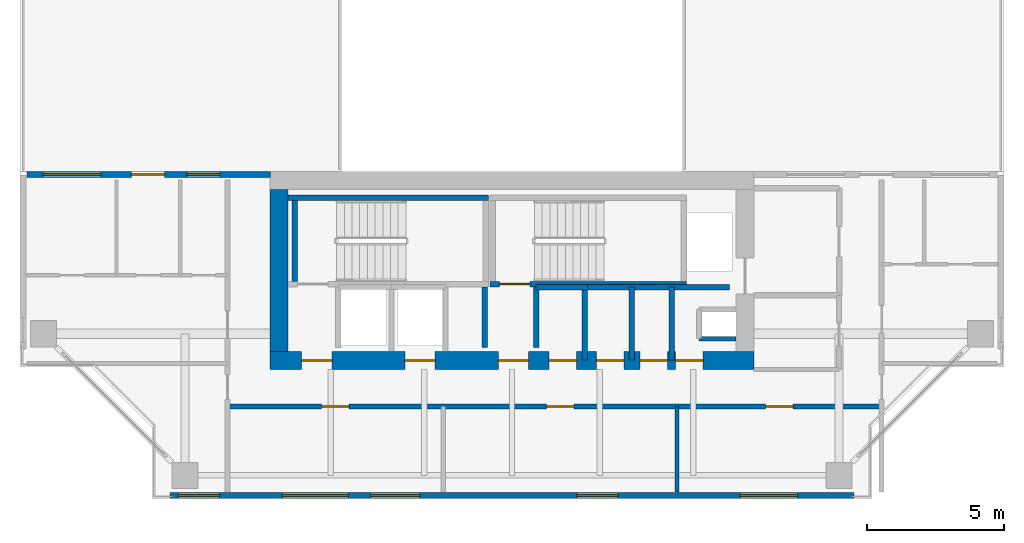
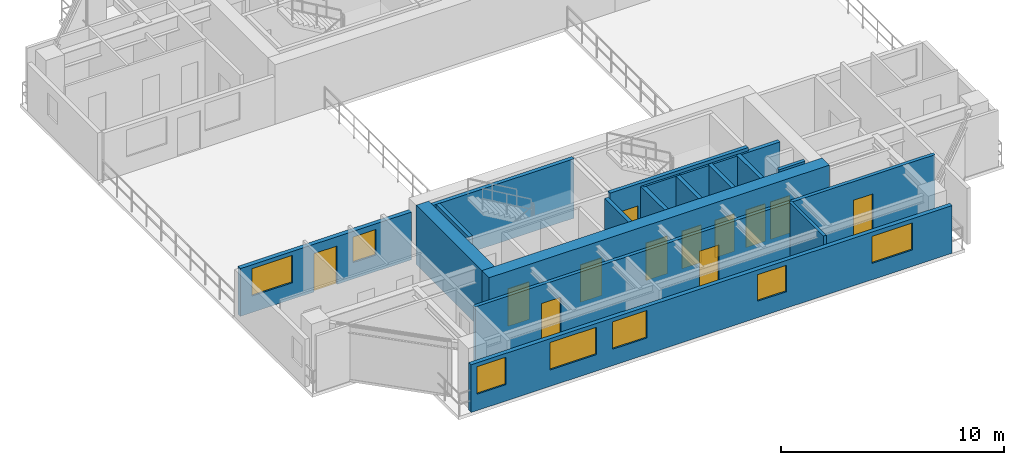
# One storey, part 7 of 14: 17 walls, 12 doors, 7 windows, 19 openings.
"""IFC4 building model written with IfcOpenShell, lengths in metres."""

from ifc_helpers import new_model, si_unit, direction, frame, frame_2d, origin, place, context, subcontext, project, spatial, rectangle, extrude, source, transform, mapped, material, layer, layer_set, type_object, element, fill, save


model = new_model("IFC4")

# Units and contexts
model_context = context("Model", 3, precision=1e-05, world=origin(), true_north=direction((0.0, 1.0)))
body_context = subcontext(model_context, "Body", "Model", "MODEL_VIEW")
ifc_project = project(units=[si_unit("LENGTHUNIT", "METRE"), si_unit("AREAUNIT", "SQUARE_METRE"), si_unit("VOLUMEUNIT", "CUBIC_METRE"), si_unit("PLANEANGLEUNIT", "RADIAN"), si_unit("MASSUNIT", "GRAM", prefix="KILO"), si_unit("THERMODYNAMICTEMPERATUREUNIT", "KELVIN"), si_unit("POWERUNIT", "WATT")], contexts=[model_context])

# Site, building, storey
site_placement = place(None, origin())
site = spatial("IfcSite", under=ifc_project, at=site_placement, CompositionType="ELEMENT")
building_placement = place(site_placement, origin())
building = spatial("IfcBuilding", under=site, at=building_placement, Name="Qiaomeng Ring Towers", CompositionType="ELEMENT")
storey_placement = place(building_placement, frame((0.0, 0.0, 153.5)))
storey = spatial("IfcBuildingStorey", under=building, at=storey_placement, Name="L44", CompositionType="ELEMENT", Elevation=153.5)

# Wall, openings, windows, door
ifc_material_1 = material(Name="Precast concrete C40", Category="concrete")
ifc_layer_1 = layer(ifc_material_1, 0.219970703125, Name="Precast concrete C40")
ifc_layer_set_1 = layer_set([ifc_layer_1], Name="Precast concrete C40")
wall_type_1 = type_object("IfcWallType", Name="ARC-WL-EW2", PredefinedType="STANDARD", material=ifc_layer_set_1)
wall_1_placement = place(storey_placement, frame((1.35009765625, 16.889892578125, 0.0), z_axis=(0.0, 0.0, 1.0), x_axis=(1.0, 0.0, 0.0)))
wall_1 = element("IfcWall", 1, at=wall_1_placement, inside=storey, type_object=wall_type_1, Name="L44 Portal Wing Wall SWING-W", PredefinedType="STANDARD", context=body_context, shape_type="SweptSolid", body=[
    extrude(rectangle(XDim=8.869873046875, YDim=0.219970703125, at=frame_2d((4.43505859375, 0.0))), origin(), (0.0, 0.0, 1.0), 2.610107421875),
])
opening_1_placement = place(wall_1_placement, frame((3.800048828125, 0.0, 0.0)))
opening_1 = element("IfcOpeningElement", 2, at=opening_1_placement, cuts=wall_1, Name="Opening BD1", PredefinedType="OPENING", context=body_context, shape_type="SweptSolid", body=[
    extrude(rectangle(XDim=1.199951171875, YDim=2.10009765625, at=frame_2d((0.60009765625, 1.050048828125))), frame((0.0, 0.119873046875, 0.0), z_axis=(0.0, -1.0, 0.0), x_axis=(1.0, 0.0, 0.0)), (0.0, 0.0, 1.0), 0.239990234375),
])
opening_2_placement = place(wall_1_placement, frame((0.594970703125, 0.0, 0.89990234375)))
opening_2 = element("IfcOpeningElement", 3, at=opening_2_placement, cuts=wall_1, Name="Opening WN4", PredefinedType="OPENING", context=body_context, shape_type="SweptSolid", body=[
    extrude(rectangle(XDim=2.10009765625, YDim=1.5, at=frame_2d((1.050048828125, 0.75))), frame((0.0, 0.119873046875, 0.0), z_axis=(0.0, -1.0, 0.0), x_axis=(1.0, 0.0, 0.0)), (0.0, 0.0, 1.0), 0.239990234375),
])
opening_3_placement = place(wall_1_placement, frame((5.824951171875, 0.0, 0.89990234375)))
opening_3 = element("IfcOpeningElement", 4, at=opening_3_placement, cuts=wall_1, Name="Opening WN3", PredefinedType="OPENING", context=body_context, shape_type="SweptSolid", body=[
    extrude(rectangle(XDim=1.199951171875, YDim=1.39990234375, at=frame_2d((0.60009765625, 0.699951171875))), frame((0.0, 0.119873046875, 0.0), z_axis=(0.0, -1.0, 0.0), x_axis=(1.0, 0.0, 0.0)), (0.0, 0.0, 1.0), 0.239990234375),
])
ifc_material_2 = material(Name="Low-E dark-grey laminated double glazing", Category="glass")
window_type_1 = type_object("IfcWindowType", Name="ARC-WN-4", PartitioningType="TRIPLE_PANEL_VERTICAL", PredefinedType="WINDOW", material=ifc_material_2)
shared_shape_1 = source(origin(), body_context, "Body", "SweptSolid", [
    extrude(rectangle(XDim=2.10009765625, YDim=1.5, at=frame_2d((1.050048828125, 0.75))), frame((0.0, 0.030029296875, 0.0), z_axis=(0.0, -1.0, 0.0), x_axis=(1.0, 0.0, 0.0)), (0.0, 0.0, 1.0), 0.06005859375),
])
window_1_placement = place(opening_2_placement, origin())
window_1 = element("IfcWindow", 5, at=window_1_placement, inside=storey, type_object=window_type_1, Name="L44 Exterior Window WN4", OverallHeight=1.5, OverallWidth=2.10009765625, PartitioningType="TRIPLE_PANEL_VERTICAL", PredefinedType="WINDOW", context=body_context, shape_type="MappedRepresentation", body=[
    mapped(shared_shape_1, transform((0.0, 0.0, 0.0), x_axis=(1.0, 0.0, 0.0), y_axis=(0.0, 1.0, 0.0), z_axis=(0.0, 0.0, 1.0), scale=1.0)),
])
fill(opening_2, window_1)
door_type_1 = type_object("IfcDoorType", Name="ARC-DR-BD1", OperationType="NOTDEFINED", PredefinedType="DOOR", material=ifc_material_2)
shared_shape_2 = source(origin(), body_context, "Body", "SweptSolid", [
    extrude(rectangle(XDim=1.199951171875, YDim=2.10009765625, at=frame_2d((0.60009765625, 1.050048828125))), frame((0.0, 0.02490234375, 0.0), z_axis=(0.0, -1.0, 0.0), x_axis=(1.0, 0.0, 0.0)), (0.0, 0.0, 1.0), 0.050048828125),
])
door_1_placement = place(opening_1_placement, origin())
door_1 = element("IfcDoor", 6, at=door_1_placement, inside=storey, type_object=door_type_1, Name="L44 Void-Portal Terrace Door SWING-W", OperationType="SINGLE_SWING_LEFT", OverallHeight=2.10009765625, OverallWidth=1.199951171875, PredefinedType="DOOR", context=body_context, shape_type="MappedRepresentation", body=[
    mapped(shared_shape_2, transform((0.0, 0.0, 0.0), x_axis=(1.0, 0.0, 0.0), y_axis=(0.0, 1.0, 0.0), z_axis=(0.0, 0.0, 1.0), scale=1.0)),
])
fill(opening_1, door_1)
window_type_2 = type_object("IfcWindowType", Name="ARC-WN-3", PartitioningType="SINGLE_PANEL", PredefinedType="WINDOW", material=ifc_material_2)
shared_shape_3 = source(origin(), body_context, "Body", "SweptSolid", [
    extrude(rectangle(XDim=1.199951171875, YDim=1.39990234375, at=frame_2d((0.60009765625, 0.699951171875))), frame((0.0, 0.030029296875, 0.0), z_axis=(0.0, -1.0, 0.0), x_axis=(1.0, 0.0, 0.0)), (0.0, 0.0, 1.0), 0.06005859375),
])
window_2_placement = place(opening_3_placement, origin())
window_2 = element("IfcWindow", 7, at=window_2_placement, inside=storey, type_object=window_type_2, Name="L44 Exterior Window WN6", OverallHeight=1.39990234375, OverallWidth=1.199951171875, PartitioningType="TRIPLE_PANEL_VERTICAL", PredefinedType="WINDOW", context=body_context, shape_type="MappedRepresentation", body=[
    mapped(shared_shape_3, transform((0.0, 0.0, 0.0), x_axis=(1.0, 0.0, 0.0), y_axis=(0.0, 1.0, 0.0), z_axis=(0.0, 0.0, 1.0), scale=1.0)),
])
fill(opening_3, window_2)

# Wall, openings, windows
wall_2_placement = place(storey_placement, frame((6.550048828125, 5.2099609375, 0.0), z_axis=(0.0, 0.0, 1.0), x_axis=(1.0, 0.0, 0.0)))
wall_2 = element("IfcWall", 8, at=wall_2_placement, inside=storey, type_object=wall_type_1, Name="L44 Tower 1 S Exterior Wall", PredefinedType="STANDARD", context=body_context, shape_type="SweptSolid", body=[
    extrude(rectangle(XDim=24.89990234375, YDim=0.219970703125, at=frame_2d((12.449951171875, 0.0))), origin(), (0.0, 0.0, 1.0), 2.610107421875),
])
opening_4_placement = place(wall_2_placement, frame((0.300048828125, 0.0, 0.89990234375)))
opening_4 = element("IfcOpeningElement", 9, at=opening_4_placement, cuts=wall_2, Name="Opening WN2", PredefinedType="OPENING", context=body_context, shape_type="SweptSolid", body=[
    extrude(rectangle(XDim=1.5, YDim=1.5, at=frame_2d((0.75, 0.75))), frame((0.0, 0.119873046875, 0.0), z_axis=(0.0, -1.0, 0.0), x_axis=(1.0, 0.0, 0.0)), (0.0, 0.0, 1.0), 0.239990234375),
])
opening_5_placement = place(wall_2_placement, frame((7.304443359375, 0.0, 0.89990234375)))
opening_5 = element("IfcOpeningElement", 10, at=opening_5_placement, cuts=wall_2, Name="Opening WN1", PredefinedType="OPENING", context=body_context, shape_type="SweptSolid", body=[
    extrude(rectangle(XDim=1.800048828125, YDim=1.5, at=frame_2d((0.89990234375, 0.75))), frame((0.0, 0.119873046875, 0.0), z_axis=(0.0, -1.0, 0.0), x_axis=(1.0, 0.0, 0.0)), (0.0, 0.0, 1.0), 0.239990234375),
])
opening_6_placement = place(wall_2_placement, frame((14.81298828125, 0.0, 0.89990234375)))
opening_6 = element("IfcOpeningElement", 11, at=opening_6_placement, cuts=wall_2, Name="Opening WN2", PredefinedType="OPENING", context=body_context, shape_type="SweptSolid", body=[
    extrude(rectangle(XDim=1.5, YDim=1.449951171875, at=frame_2d((0.75, 0.72509765625))), frame((0.0, 0.119873046875, 0.0), z_axis=(0.0, -1.0, 0.0), x_axis=(1.0, 0.0, 0.0)), (0.0, 0.0, 1.0), 0.239990234375),
])
opening_7_placement = place(wall_2_placement, frame((20.738037109375, 0.0, 0.89990234375)))
opening_7 = element("IfcOpeningElement", 12, at=opening_7_placement, cuts=wall_2, Name="Opening WN4", PredefinedType="OPENING", context=body_context, shape_type="SweptSolid", body=[
    extrude(rectangle(XDim=2.10009765625, YDim=1.47998046875, at=frame_2d((1.050048828125, 0.739990234375))), frame((0.0, 0.119873046875, 0.0), z_axis=(0.0, -1.0, 0.0), x_axis=(1.0, 0.0, 0.0)), (0.0, 0.0, 1.0), 0.239990234375),
])
opening_8_placement = place(wall_2_placement, frame((4.093994140625, 0.0, 0.89990234375)))
opening_8 = element("IfcOpeningElement", 13, at=opening_8_placement, cuts=wall_2, Name="Opening WN6", PredefinedType="OPENING", context=body_context, shape_type="SweptSolid", body=[
    extrude(rectangle(XDim=2.39990234375, YDim=1.5, at=frame_2d((1.199951171875, 0.75))), frame((0.0, 0.119873046875, 0.0), z_axis=(0.0, -1.0, 0.0), x_axis=(1.0, 0.0, 0.0)), (0.0, 0.0, 1.0), 0.239990234375),
])
window_type_3 = type_object("IfcWindowType", Name="ARC-WN-2", PartitioningType="DOUBLE_PANEL_VERTICAL", PredefinedType="WINDOW", material=ifc_material_2)
shared_shape_4 = source(origin(), body_context, "Body", "SweptSolid", [
    extrude(rectangle(XDim=1.5, YDim=1.449951171875, at=frame_2d((0.75, 0.72509765625))), frame((0.0, 0.030029296875, 0.0), z_axis=(0.0, -1.0, 0.0), x_axis=(1.0, 0.0, 0.0)), (0.0, 0.0, 1.0), 0.06005859375),
])
window_3_placement = place(opening_6_placement, origin())
window_3 = element("IfcWindow", 14, at=window_3_placement, inside=storey, type_object=window_type_3, Name="L44 Exterior Window WN2", OverallHeight=1.449951171875, OverallWidth=1.5, PartitioningType="DOUBLE_PANEL_VERTICAL", PredefinedType="WINDOW", context=body_context, shape_type="MappedRepresentation", body=[
    mapped(shared_shape_4, transform((0.0, 0.0, 0.0), x_axis=(1.0, 0.0, 0.0), y_axis=(0.0, 1.0, 0.0), z_axis=(0.0, 0.0, 1.0), scale=1.0)),
])
fill(opening_6, window_3)
shared_shape_5 = source(origin(), body_context, "Body", "SweptSolid", [
    extrude(rectangle(XDim=2.10009765625, YDim=1.47998046875, at=frame_2d((1.050048828125, 0.739990234375))), frame((0.0, 0.030029296875, 0.0), z_axis=(0.0, -1.0, 0.0), x_axis=(1.0, 0.0, 0.0)), (0.0, 0.0, 1.0), 0.06005859375),
])
window_4_placement = place(opening_7_placement, origin())
window_4 = element("IfcWindow", 15, at=window_4_placement, inside=storey, type_object=window_type_1, Name="L44 Exterior Window WN4", OverallHeight=1.47998046875, OverallWidth=2.10009765625, PartitioningType="TRIPLE_PANEL_VERTICAL", PredefinedType="WINDOW", context=body_context, shape_type="MappedRepresentation", body=[
    mapped(shared_shape_5, transform((0.0, 0.0, 0.0), x_axis=(1.0, 0.0, 0.0), y_axis=(0.0, 1.0, 0.0), z_axis=(0.0, 0.0, 1.0), scale=1.0)),
])
fill(opening_7, window_4)
shared_shape_6 = source(origin(), body_context, "Body", "SweptSolid", [
    extrude(rectangle(XDim=1.5, YDim=1.5, at=frame_2d((0.75, 0.75))), frame((0.0, 0.030029296875, 0.0), z_axis=(0.0, -1.0, 0.0), x_axis=(1.0, 0.0, 0.0)), (0.0, 0.0, 1.0), 0.06005859375),
])
window_5_placement = place(opening_4_placement, origin())
window_5 = element("IfcWindow", 16, at=window_5_placement, inside=storey, type_object=window_type_3, Name="L44 Exterior Window WN6", OverallHeight=1.5, OverallWidth=1.5, PartitioningType="TRIPLE_PANEL_VERTICAL", PredefinedType="WINDOW", context=body_context, shape_type="MappedRepresentation", body=[
    mapped(shared_shape_6, transform((0.0, 0.0, 0.0), x_axis=(1.0, 0.0, 0.0), y_axis=(0.0, 1.0, 0.0), z_axis=(0.0, 0.0, 1.0), scale=1.0)),
])
fill(opening_4, window_5)
window_type_4 = type_object("IfcWindowType", Name="ARC-WN-6", PartitioningType="TRIPLE_PANEL_VERTICAL", PredefinedType="WINDOW", material=ifc_material_2)
shared_shape_7 = source(origin(), body_context, "Body", "SweptSolid", [
    extrude(rectangle(XDim=2.39990234375, YDim=1.5, at=frame_2d((1.199951171875, 0.75))), frame((0.0, 0.030029296875, 0.0), z_axis=(0.0, -1.0, 0.0), x_axis=(1.0, 0.0, 0.0)), (0.0, 0.0, 1.0), 0.06005859375),
])
window_6_placement = place(opening_8_placement, origin())
window_6 = element("IfcWindow", 17, at=window_6_placement, inside=storey, type_object=window_type_4, Name="L44 Exterior Window WN6", OverallHeight=1.5, OverallWidth=2.39990234375, PartitioningType="TRIPLE_PANEL_VERTICAL", PredefinedType="WINDOW", context=body_context, shape_type="MappedRepresentation", body=[
    mapped(shared_shape_7, transform((0.0, 0.0, 0.0), x_axis=(1.0, 0.0, 0.0), y_axis=(0.0, 1.0, 0.0), z_axis=(0.0, 0.0, 1.0), scale=1.0)),
])
fill(opening_8, window_6)
window_type_5 = type_object("IfcWindowType", Name="ARC-WN-1", PartitioningType="DOUBLE_PANEL_VERTICAL", PredefinedType="WINDOW", material=ifc_material_2)
shared_shape_8 = source(origin(), body_context, "Body", "SweptSolid", [
    extrude(rectangle(XDim=1.800048828125, YDim=1.5, at=frame_2d((0.89990234375, 0.75))), frame((0.0, 0.030029296875, 0.0), z_axis=(0.0, -1.0, 0.0), x_axis=(1.0, 0.0, 0.0)), (0.0, 0.0, 1.0), 0.06005859375),
])
window_7_placement = place(opening_5_placement, origin())
window_7 = element("IfcWindow", 18, at=window_7_placement, inside=storey, type_object=window_type_5, Name="L44 Exterior Window WN1", OverallHeight=1.5, OverallWidth=1.800048828125, PartitioningType="DOUBLE_PANEL_VERTICAL", PredefinedType="WINDOW", context=body_context, shape_type="MappedRepresentation", body=[
    mapped(shared_shape_8, transform((0.0, 0.0, 0.0), x_axis=(1.0, 0.0, 0.0), y_axis=(0.0, 1.0, 0.0), z_axis=(0.0, 0.0, 1.0), scale=1.0)),
])
fill(opening_5, window_7)

# Walls
ifc_material_3 = material(Name="Autoclaved aerated concrete block", Category="concrete")
ifc_layer_2 = layer(ifc_material_3, 0.199951171875, Name="Autoclaved aerated concrete block")
ifc_layer_set_2 = layer_set([ifc_layer_2], Name="Autoclaved aerated concrete block")
wall_type_2 = type_object("IfcWallType", Name="ARC-WL-PW1", PredefinedType="PARTITIONING", material=ifc_layer_set_2)
for number, where, z_axis, x_axis, name in (
    (19, (18.0, 10.60009765625, 0.0), (0.0, 0.0, 1.0), (0.0, 1.0, 0.0), "L44 Interior Wall PW1"),
    (20, (19.8798828125, 10.60009765625, 0.0), (0.0, 0.0, 1.0), (0.0, 1.0, 0.0), "L44 Interior Wall PW1"),
):
    element("IfcWall", number, at=place(storey_placement, frame(where, z_axis=z_axis, x_axis=x_axis)), inside=storey, type_object=wall_type_2, Name=name, PredefinedType="PARTITIONING", context=body_context, shape_type="SweptSolid", body=[
        extrude(rectangle(XDim=2.2099609375, YDim=0.199951171875, at=frame_2d((1.10498046875, 0.0))), origin(), (0.0, 0.0, 1.0), 3.070068359375),
    ])
wall_3_placement = place(storey_placement, frame((24.820068359375, 10.14990234375, 0.0), z_axis=(0.0, 0.0, 1.0), x_axis=(0.0, 1.0, 0.0)))
element("IfcWall", 21, at=wall_3_placement, inside=storey, type_object=wall_type_2, Name="L44 Interior Wall PW1", PredefinedType="PARTITIONING", context=body_context, shape_type="SweptSolid", body=[
    extrude(rectangle(XDim=2.650146484375, YDim=0.199951171875, at=frame_2d((1.3251953125, 0.0))), origin(), (0.0, 0.0, 1.0), 3.070068359375),
])
wall_4_placement = place(storey_placement, frame((19.8798828125, 12.800048828125, 0.0), z_axis=(0.0, 0.0, 1.0), x_axis=(1.0, 0.0, 0.0)))
element("IfcWall", 22, at=wall_4_placement, inside=storey, type_object=wall_type_2, Name="L44 Interior Wall PW1", PredefinedType="PARTITIONING", context=body_context, shape_type="SweptSolid", body=[
    extrude(rectangle(XDim=1.8701171875, YDim=0.199951171875, at=frame_2d((0.93505859375, 0.0))), origin(), (0.0, 0.0, 1.0), 3.070068359375),
])
for number, where, z_axis, x_axis, name in (
    (23, (21.639892578125, 10.14990234375, 0.0), (0.0, 0.0, 1.0), (0.0, 1.0, 0.0), "L44 Interior Wall PW1"),
    (24, (23.35009765625, 10.14990234375, 0.0), (0.0, 0.0, 1.0), (0.0, 1.0, 0.0), "L44 Interior Wall PW1"),
):
    element("IfcWall", number, at=place(storey_placement, frame(where, z_axis=z_axis, x_axis=x_axis)), inside=storey, type_object=wall_type_2, Name=name, PredefinedType="PARTITIONING", context=body_context, shape_type="SweptSolid", body=[
        extrude(rectangle(XDim=2.650146484375, YDim=0.199951171875, at=frame_2d((1.3251953125, 0.0))), origin(), (0.0, 0.0, 1.0), 3.070068359375),
    ])
wall_5_placement = place(storey_placement, frame((21.75, 12.800048828125, 0.0), z_axis=(0.0, 0.0, 1.0), x_axis=(1.0, 0.0, 0.0)))
element("IfcWall", 25, at=wall_5_placement, inside=storey, type_object=wall_type_2, Name="L44 Interior Wall PW1", PredefinedType="PARTITIONING", context=body_context, shape_type="SweptSolid", body=[
    extrude(rectangle(XDim=5.169921875, YDim=0.199951171875, at=frame_2d((2.5849609375, 0.0))), origin(), (0.0, 0.0, 1.0), 3.070068359375),
])

# Wall, openings, doors
ifc_layer_3 = layer(ifc_material_3, 0.179931640625, Name="Autoclaved aerated concrete block")
ifc_layer_set_3 = layer_set([ifc_layer_3], Name="Autoclaved aerated concrete block")
wall_type_3 = type_object("IfcWallType", Name="ARC-WL-PW2", PredefinedType="PARTITIONING", material=ifc_layer_set_3)
wall_6_placement = place(storey_placement, frame((8.64990234375, 8.449951171875, 0.0), z_axis=(0.0, 0.0, 1.0), x_axis=(1.0, 0.0, 0.0)))
wall_6 = element("IfcWall", 26, at=wall_6_placement, inside=storey, type_object=wall_type_3, Name="L44 Interior Wall PW2", PredefinedType="PARTITIONING", context=body_context, shape_type="SweptSolid", body=[
    extrude(rectangle(XDim=23.800048828125, YDim=0.179931640625, at=frame_2d((11.89990234375, 0.0))), origin(), (0.0, 0.0, 1.0), 3.070068359375),
])
opening_9_placement = place(wall_6_placement, frame((3.425048828125, 0.0, 0.0)))
opening_9 = element("IfcOpeningElement", 27, at=opening_9_placement, cuts=wall_6, Name="Opening FD4", PredefinedType="OPENING", context=body_context, shape_type="SweptSolid", body=[
    extrude(rectangle(XDim=1.0, YDim=2.050048828125, at=frame_2d((0.5, 1.02490234375))), frame((0.0, 0.099853515625, 0.0), z_axis=(0.0, -1.0, 0.0), x_axis=(1.0, 0.0, 0.0)), (0.0, 0.0, 1.0), 0.199951171875),
])
opening_10_placement = place(wall_6_placement, frame((11.60009765625, 0.0, 0.0)))
opening_10 = element("IfcOpeningElement", 28, at=opening_10_placement, cuts=wall_6, Name="Opening FD4", PredefinedType="OPENING", context=body_context, shape_type="SweptSolid", body=[
    extrude(rectangle(XDim=1.0, YDim=2.050048828125, at=frame_2d((0.5, 1.02490234375))), frame((0.0, 0.099853515625, 0.0), z_axis=(0.0, -1.0, 0.0), x_axis=(1.0, 0.0, 0.0)), (0.0, 0.0, 1.0), 0.199951171875),
])
opening_11_placement = place(wall_6_placement, frame((19.574951171875, 0.0, 0.0)))
opening_11 = element("IfcOpeningElement", 29, at=opening_11_placement, cuts=wall_6, Name="Opening FD4", PredefinedType="OPENING", context=body_context, shape_type="SweptSolid", body=[
    extrude(rectangle(XDim=1.0, YDim=2.050048828125, at=frame_2d((0.5, 1.02490234375))), frame((0.0, 0.099853515625, 0.0), z_axis=(0.0, -1.0, 0.0), x_axis=(1.0, 0.0, 0.0)), (0.0, 0.0, 1.0), 0.199951171875),
])
ifc_material_4 = material(Name="Engineered fire-rated oak timber", Category="wood")
door_type_2 = type_object("IfcDoorType", Name="ARC-DR-FD4", OperationType="NOTDEFINED", PredefinedType="DOOR", material=ifc_material_4)
shared_shape_9 = source(origin(), body_context, "Body", "SweptSolid", [
    extrude(rectangle(XDim=1.0, YDim=2.050048828125, at=frame_2d((0.5, 1.02490234375))), frame((0.0, 0.02490234375, 0.0), z_axis=(0.0, -1.0, 0.0), x_axis=(1.0, 0.0, 0.0)), (0.0, 0.0, 1.0), 0.050048828125),
])
door_2_placement = place(opening_9_placement, origin())
door_2 = element("IfcDoor", 30, at=door_2_placement, inside=storey, type_object=door_type_2, Name="L44 Door FD4", OperationType="SINGLE_SWING_LEFT", OverallHeight=2.050048828125, OverallWidth=1.0, PredefinedType="DOOR", context=body_context, shape_type="MappedRepresentation", body=[
    mapped(shared_shape_9, transform((0.0, 0.0, 0.0), x_axis=(1.0, 0.0, 0.0), y_axis=(0.0, 1.0, 0.0), z_axis=(0.0, 0.0, 1.0), scale=1.0)),
])
fill(opening_9, door_2)
door_3_placement = place(opening_10_placement, origin())
door_3 = element("IfcDoor", 31, at=door_3_placement, inside=storey, type_object=door_type_2, Name="L44 Door FD4", OperationType="SINGLE_SWING_RIGHT", OverallHeight=2.050048828125, OverallWidth=1.0, PredefinedType="DOOR", context=body_context, shape_type="MappedRepresentation", body=[
    mapped(shared_shape_9, transform((0.0, 0.0, 0.0), x_axis=(1.0, 0.0, 0.0), y_axis=(0.0, 1.0, 0.0), z_axis=(0.0, 0.0, 1.0), scale=1.0)),
])
fill(opening_10, door_3)
door_4_placement = place(opening_11_placement, origin())
door_4 = element("IfcDoor", 32, at=door_4_placement, inside=storey, type_object=door_type_2, Name="L44 Door FD4", OperationType="SINGLE_SWING_LEFT", OverallHeight=2.050048828125, OverallWidth=1.0, PredefinedType="DOOR", context=body_context, shape_type="MappedRepresentation", body=[
    mapped(shared_shape_9, transform((0.0, 0.0, 0.0), x_axis=(1.0, 0.0, 0.0), y_axis=(0.0, 1.0, 0.0), z_axis=(0.0, 0.0, 1.0), scale=1.0)),
])
fill(opening_11, door_4)

# Walls
ifc_material_5 = material(Name="Gypsum fireboard steel-stud partition", Category="steel")
ifc_layer_4 = layer(ifc_material_5, 0.14990234375, Name="Gypsum fireboard steel-stud partition")
ifc_layer_set_4 = layer_set([ifc_layer_4], Name="Gypsum fireboard steel-stud partition")
wall_type_4 = type_object("IfcWallType", Name="ARC-WL-PW3", PredefinedType="PARTITIONING", material=ifc_layer_set_4)
wall_7_placement = place(storey_placement, frame((25.0, 5.35009765625, 0.0), z_axis=(0.0, 0.0, 1.0), x_axis=(0.0, 1.0, 0.0)))
element("IfcWall", 33, at=wall_7_placement, inside=storey, type_object=wall_type_4, Name="L44 Interior Wall PW3", PredefinedType="PARTITIONING", context=body_context, shape_type="SweptSolid", body=[
    extrude(rectangle(XDim=3.099853515625, YDim=0.14990234375, at=frame_2d((1.5498046875, 0.0))), origin(), (0.0, 0.0, 1.0), 3.070068359375),
])
ifc_material_6 = material(Name="Concrete C40", Category="concrete")
ifc_layer_5 = layer(ifc_material_6, 0.199951171875, Name="Concrete C40")
ifc_layer_set_5 = layer_set([ifc_layer_5], Name="Concrete C40")
wall_type_5 = type_object("IfcWallType", Name="STR-WL-STSHAFT", PredefinedType="SHEAR", material=ifc_layer_set_5)
wall_8_placement = place(storey_placement, frame((25.800048828125, 10.919921875, 0.0), z_axis=(0.0, 0.0, 1.0), x_axis=(1.0, 0.0, 0.0)))
element("IfcWall", 34, at=wall_8_placement, inside=storey, type_object=wall_type_5, Name="L44 Riser RSR1 South Shaft Wall S", PredefinedType="SHEAR", context=body_context, shape_type="SweptSolid", body=[
    extrude(rectangle(XDim=1.349853515625, YDim=0.179931640625, at=frame_2d((0.6748046875, 0.0))), origin(), (0.0, 0.0, 1.0), 3.070068359375),
])
wall_9_placement = place(storey_placement, frame((10.85009765625, 16.050048828125, 0.0), z_axis=(0.0, 0.0, 1.0), x_axis=(1.0, 0.0, 0.0)))
element("IfcWall", 35, at=wall_9_placement, inside=storey, type_object=wall_type_5, Name="L44 Stair ST3 North Shaft Shear Wall", PredefinedType="SHEAR", context=body_context, shape_type="SweptSolid", body=[
    extrude(rectangle(XDim=7.2998046875, YDim=0.199951171875, at=frame_2d((3.64990234375, 0.0))), origin(), (0.0, 0.0, 1.0), 3.25),
])
wall_10_placement = place(storey_placement, frame((11.10009765625, 13.010009765625, 0.0), z_axis=(0.0, 0.0, 1.0), x_axis=(0.0, 1.0, 0.0)))
element("IfcWall", 36, at=wall_10_placement, inside=storey, type_object=wall_type_5, Name="L44 Stair ST3 West Shaft Shear Wall", PredefinedType="SHEAR", context=body_context, shape_type="SweptSolid", body=[
    extrude(rectangle(XDim=2.93994140625, YDim=0.199951171875, at=frame_2d((1.469970703125, 0.0))), origin(), (0.0, 0.0, 1.0), 3.25),
])

# Wall, opening, door
wall_11_placement = place(storey_placement, frame((18.199951171875, 12.909912109375, 0.0), z_axis=(0.0, 0.0, 1.0), x_axis=(1.0, 0.0, 0.0)))
wall_11 = element("IfcWall", 37, at=wall_11_placement, inside=storey, type_object=wall_type_5, Name="L44 Stair ST4 South Shaft Shear Wall", PredefinedType="SHEAR", context=body_context, shape_type="SweptSolid", body=[
    extrude(rectangle(XDim=7.150146484375, YDim=0.199951171875, at=frame_2d((3.5751953125, 0.0))), origin(), (0.0, 0.0, 1.0), 3.25),
])
opening_12_placement = place(wall_11_placement, frame((0.35009765625, 0.0, 0.0)))
opening_12 = element("IfcOpeningElement", 38, at=opening_12_placement, cuts=wall_11, Name="Opening FD3", PredefinedType="OPENING", context=body_context, shape_type="SweptSolid", body=[
    extrude(rectangle(XDim=1.10009765625, YDim=2.050048828125, at=frame_2d((0.550048828125, 1.02490234375))), frame((0.0, 0.10986328125, 0.0), z_axis=(0.0, -1.0, 0.0), x_axis=(1.0, 0.0, 0.0)), (0.0, 0.0, 1.0), 0.219970703125),
])
ifc_material_7 = material(Name="Galvanised steel", Category="steel")
door_type_3 = type_object("IfcDoorType", Name="ARC-DR-FD3", OperationType="NOTDEFINED", PredefinedType="DOOR", material=ifc_material_7)
shared_shape_10 = source(origin(), body_context, "Body", "SweptSolid", [
    extrude(rectangle(XDim=1.10009765625, YDim=2.050048828125, at=frame_2d((0.550048828125, 1.02490234375))), frame((0.0, 0.02490234375, 0.0), z_axis=(0.0, -1.0, 0.0), x_axis=(1.0, 0.0, 0.0)), (0.0, 0.0, 1.0), 0.050048828125),
])
door_5_placement = place(opening_12_placement, frame((1.10009765625, 0.0, 0.0), z_axis=(0.0, 0.0, 1.0), x_axis=(-1.0, 0.0, 0.0)))
door_5 = element("IfcDoor", 39, at=door_5_placement, inside=storey, type_object=door_type_3, Name="L44 Stair ST4 Exit Door", OperationType="SINGLE_SWING_RIGHT", OverallHeight=2.050048828125, OverallWidth=1.10009765625, PredefinedType="DOOR", context=body_context, shape_type="MappedRepresentation", body=[
    mapped(shared_shape_10, transform((0.0, 0.0, 0.0), x_axis=(1.0, 0.0, 0.0), y_axis=(0.0, 1.0, 0.0), z_axis=(0.0, 0.0, 1.0), scale=1.0)),
])
fill(opening_12, door_5)

# Wall, openings, doors
ifc_material_8 = material(Name="Concrete C50", Category="concrete")
ifc_layer_6 = layer(ifc_material_8, 0.64990234375, Name="Concrete C50")
ifc_layer_set_6 = layer_set([ifc_layer_6], Name="Concrete C50")
wall_type_6 = type_object("IfcWallType", Name="STR-WL-SW2B", PredefinedType="SHEAR", material=ifc_layer_set_6)
wall_12_placement = place(storey_placement, frame((10.199951171875, 10.125, 0.0), z_axis=(0.0, 0.0, 1.0), x_axis=(1.0, 0.0, 0.0)))
wall_12 = element("IfcWall", 40, at=wall_12_placement, inside=storey, type_object=wall_type_6, Name="L44 T1SC south core shear wall", PredefinedType="SHEAR", context=body_context, shape_type="SweptSolid", body=[
    extrude(rectangle(XDim=17.60009765625, YDim=0.64990234375, at=frame_2d((8.800048828125, 0.0))), origin(), (0.0, 0.0, 1.0), 3.25),
])
opening_13_placement = place(wall_12_placement, frame((1.14990234375, 0.0, 0.0)))
opening_13 = element("IfcOpeningElement", 41, at=opening_13_placement, cuts=wall_12, Name="Opening FD3", PredefinedType="OPENING", context=body_context, shape_type="SweptSolid", body=[
    extrude(rectangle(XDim=1.10009765625, YDim=2.050048828125, at=frame_2d((0.550048828125, 1.02490234375))), frame((0.0, 0.3349609375, 0.0), z_axis=(0.0, -1.0, 0.0), x_axis=(1.0, 0.0, 0.0)), (0.0, 0.0, 1.0), 0.669921875),
])
opening_14_placement = place(wall_12_placement, frame((8.300048828125, 0.0, 0.0)))
opening_14 = element("IfcOpeningElement", 42, at=opening_14_placement, cuts=wall_12, Name="Opening FD3", PredefinedType="OPENING", context=body_context, shape_type="SweptSolid", body=[
    extrude(rectangle(XDim=1.10009765625, YDim=2.050048828125, at=frame_2d((0.550048828125, 1.02490234375))), frame((0.0, 0.3349609375, 0.0), z_axis=(0.0, -1.0, 0.0), x_axis=(1.0, 0.0, 0.0)), (0.0, 0.0, 1.0), 0.669921875),
])
opening_15_placement = place(wall_12_placement, frame((4.89990234375, 0.0, 0.0)))
opening_15 = element("IfcOpeningElement", 43, at=opening_15_placement, cuts=wall_12, Name="Opening LD1", PredefinedType="OPENING", context=body_context, shape_type="SweptSolid", body=[
    extrude(rectangle(XDim=1.10009765625, YDim=2.050048828125, at=frame_2d((0.550048828125, 1.02490234375))), frame((0.0, 0.3349609375, 0.0), z_axis=(0.0, -1.0, 0.0), x_axis=(1.0, 0.0, 0.0)), (0.0, 0.0, 1.0), 0.669921875),
])
opening_16_placement = place(wall_12_placement, frame((14.739990234375, 0.0, 0.0)))
opening_16 = element("IfcOpeningElement", 44, at=opening_16_placement, cuts=wall_12, Name="Opening FD1", PredefinedType="OPENING", context=body_context, shape_type="SweptSolid", body=[
    extrude(rectangle(XDim=1.0, YDim=2.050048828125, at=frame_2d((0.5, 1.02490234375))), frame((0.0, 0.3349609375, 0.0), z_axis=(0.0, -1.0, 0.0), x_axis=(1.0, 0.0, 0.0)), (0.0, 0.0, 1.0), 0.669921875),
])
opening_17_placement = place(wall_12_placement, frame((10.155029296875, 0.0, 0.0)))
opening_17 = element("IfcOpeningElement", 45, at=opening_17_placement, cuts=wall_12, Name="Opening FD1", PredefinedType="OPENING", context=body_context, shape_type="SweptSolid", body=[
    extrude(rectangle(XDim=1.0, YDim=2.050048828125, at=frame_2d((0.5, 1.02490234375))), frame((0.0, 0.3349609375, 0.0), z_axis=(0.0, -1.0, 0.0), x_axis=(1.0, 0.0, 0.0)), (0.0, 0.0, 1.0), 0.669921875),
])
opening_18_placement = place(wall_12_placement, frame((11.8701171875, 0.0, 0.0)))
opening_18 = element("IfcOpeningElement", 46, at=opening_18_placement, cuts=wall_12, Name="Opening FD1", PredefinedType="OPENING", context=body_context, shape_type="SweptSolid", body=[
    extrude(rectangle(XDim=1.0, YDim=2.050048828125, at=frame_2d((0.5, 1.02490234375))), frame((0.0, 0.3349609375, 0.0), z_axis=(0.0, -1.0, 0.0), x_axis=(1.0, 0.0, 0.0)), (0.0, 0.0, 1.0), 0.669921875),
])
opening_19_placement = place(wall_12_placement, frame((13.4599609375, 0.0, 0.0)))
opening_19 = element("IfcOpeningElement", 47, at=opening_19_placement, cuts=wall_12, Name="Opening FD1", PredefinedType="OPENING", context=body_context, shape_type="SweptSolid", body=[
    extrude(rectangle(XDim=1.0, YDim=2.050048828125, at=frame_2d((0.5, 1.02490234375))), frame((0.0, 0.3349609375, 0.0), z_axis=(0.0, -1.0, 0.0), x_axis=(1.0, 0.0, 0.0)), (0.0, 0.0, 1.0), 0.669921875),
])
door_6_placement = place(opening_13_placement, origin())
door_6 = element("IfcDoor", 48, at=door_6_placement, inside=storey, type_object=door_type_3, Name="L44 Stair ST3 Lobby Door", OperationType="SINGLE_SWING_LEFT", OverallHeight=2.050048828125, OverallWidth=1.10009765625, PredefinedType="DOOR", context=body_context, shape_type="MappedRepresentation", body=[
    mapped(shared_shape_10, transform((0.0, 0.0, 0.0), x_axis=(1.0, 0.0, 0.0), y_axis=(0.0, 1.0, 0.0), z_axis=(0.0, 0.0, 1.0), scale=1.0)),
])
fill(opening_13, door_6)
door_7_placement = place(opening_14_placement, origin())
door_7 = element("IfcDoor", 49, at=door_7_placement, inside=storey, type_object=door_type_3, Name="L44 Stair ST4 Lobby Door", OperationType="SINGLE_SWING_LEFT", OverallHeight=2.050048828125, OverallWidth=1.10009765625, PredefinedType="DOOR", context=body_context, shape_type="MappedRepresentation", body=[
    mapped(shared_shape_10, transform((0.0, 0.0, 0.0), x_axis=(1.0, 0.0, 0.0), y_axis=(0.0, 1.0, 0.0), z_axis=(0.0, 0.0, 1.0), scale=1.0)),
])
fill(opening_14, door_7)
ifc_material_9 = material(Name="Stainless steel 316", Category="steel")
door_type_4 = type_object("IfcDoorType", Name="ARC-DR-LD1", OperationType="NOTDEFINED", PredefinedType="DOOR", material=ifc_material_9)
door_8_placement = place(opening_15_placement, origin())
door_8 = element("IfcDoor", 50, at=door_8_placement, inside=storey, type_object=door_type_4, Name="L44 Mid-Zone Lift LP4 Landing Door", OperationType="SLIDING_TO_RIGHT", OverallHeight=2.050048828125, OverallWidth=1.10009765625, PredefinedType="DOOR", context=body_context, shape_type="MappedRepresentation", body=[
    mapped(shared_shape_10, transform((0.0, 0.0, 0.0), x_axis=(1.0, 0.0, 0.0), y_axis=(0.0, 1.0, 0.0), z_axis=(0.0, 0.0, 1.0), scale=1.0)),
])
fill(opening_15, door_8)
door_type_5 = type_object("IfcDoorType", Name="ARC-DR-FD1", OperationType="NOTDEFINED", PredefinedType="DOOR", material=ifc_material_7)
door_9_placement = place(opening_16_placement, origin())
door_9 = element("IfcDoor", 51, at=door_9_placement, inside=storey, type_object=door_type_5, Name="L44 South Electrical Riser Door", OperationType="SINGLE_SWING_RIGHT", OverallHeight=2.050048828125, OverallWidth=1.0, PredefinedType="DOOR", context=body_context, shape_type="MappedRepresentation", body=[
    mapped(shared_shape_9, transform((0.0, 0.0, 0.0), x_axis=(1.0, 0.0, 0.0), y_axis=(0.0, 1.0, 0.0), z_axis=(0.0, 0.0, 1.0), scale=1.0)),
])
fill(opening_16, door_9)
door_10_placement = place(opening_17_placement, origin())
door_10 = element("IfcDoor", 52, at=door_10_placement, inside=storey, type_object=door_type_5, Name="L44 South Break Lounge Door", OperationType="SINGLE_SWING_RIGHT", OverallHeight=2.050048828125, OverallWidth=1.0, PredefinedType="DOOR", context=body_context, shape_type="MappedRepresentation", body=[
    mapped(shared_shape_9, transform((0.0, 0.0, 0.0), x_axis=(1.0, 0.0, 0.0), y_axis=(0.0, 1.0, 0.0), z_axis=(0.0, 0.0, 1.0), scale=1.0)),
])
fill(opening_17, door_10)
door_11_placement = place(opening_18_placement, origin())
door_11 = element("IfcDoor", 53, at=door_11_placement, inside=storey, type_object=door_type_5, Name="L44 South Consultation Study Door", OperationType="SINGLE_SWING_LEFT", OverallHeight=2.050048828125, OverallWidth=1.0, PredefinedType="DOOR", context=body_context, shape_type="MappedRepresentation", body=[
    mapped(shared_shape_9, transform((0.0, 0.0, 0.0), x_axis=(1.0, 0.0, 0.0), y_axis=(0.0, 1.0, 0.0), z_axis=(0.0, 0.0, 1.0), scale=1.0)),
])
fill(opening_18, door_11)
door_12_placement = place(opening_19_placement, origin())
door_12 = element("IfcDoor", 54, at=door_12_placement, inside=storey, type_object=door_type_5, Name="L44 South Tea Pantry Door", OperationType="SINGLE_SWING_RIGHT", OverallHeight=2.050048828125, OverallWidth=1.0, PredefinedType="DOOR", context=body_context, shape_type="MappedRepresentation", body=[
    mapped(shared_shape_9, transform((0.0, 0.0, 0.0), x_axis=(1.0, 0.0, 0.0), y_axis=(0.0, 1.0, 0.0), z_axis=(0.0, 0.0, 1.0), scale=1.0)),
])
fill(opening_19, door_12)

# Wall
wall_13_placement = place(storey_placement, frame((10.52490234375, 10.449951171875, 0.0), z_axis=(0.0, 0.0, 1.0), x_axis=(0.0, 1.0, 0.0)))
element("IfcWall", 55, at=wall_13_placement, inside=storey, type_object=wall_type_6, Name="L44 T1SC west core shear wall", PredefinedType="SHEAR", context=body_context, shape_type="SweptSolid", body=[
    extrude(rectangle(XDim=5.900146484375, YDim=0.64990234375, at=frame_2d((2.9501953125, 0.0))), origin(), (0.0, 0.0, 1.0), 3.25),
])

save(model, "model.ifc")
